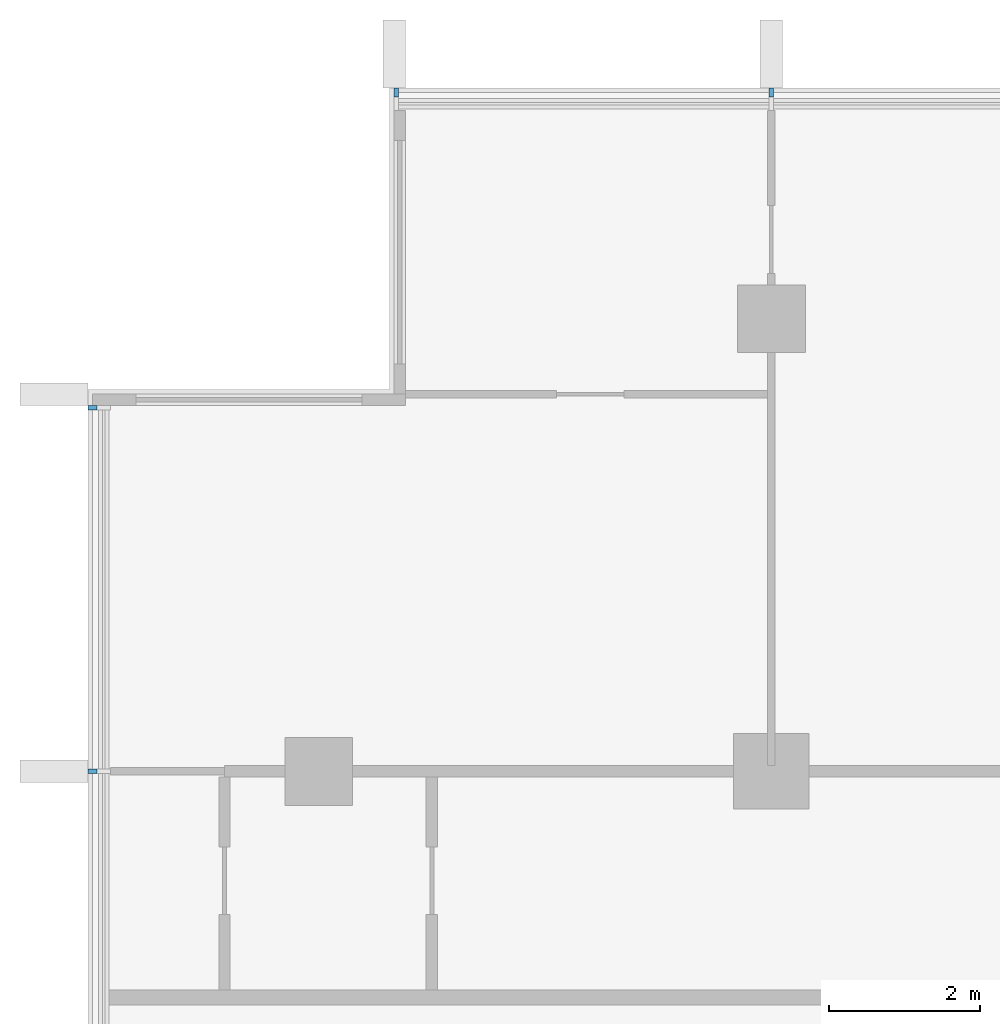
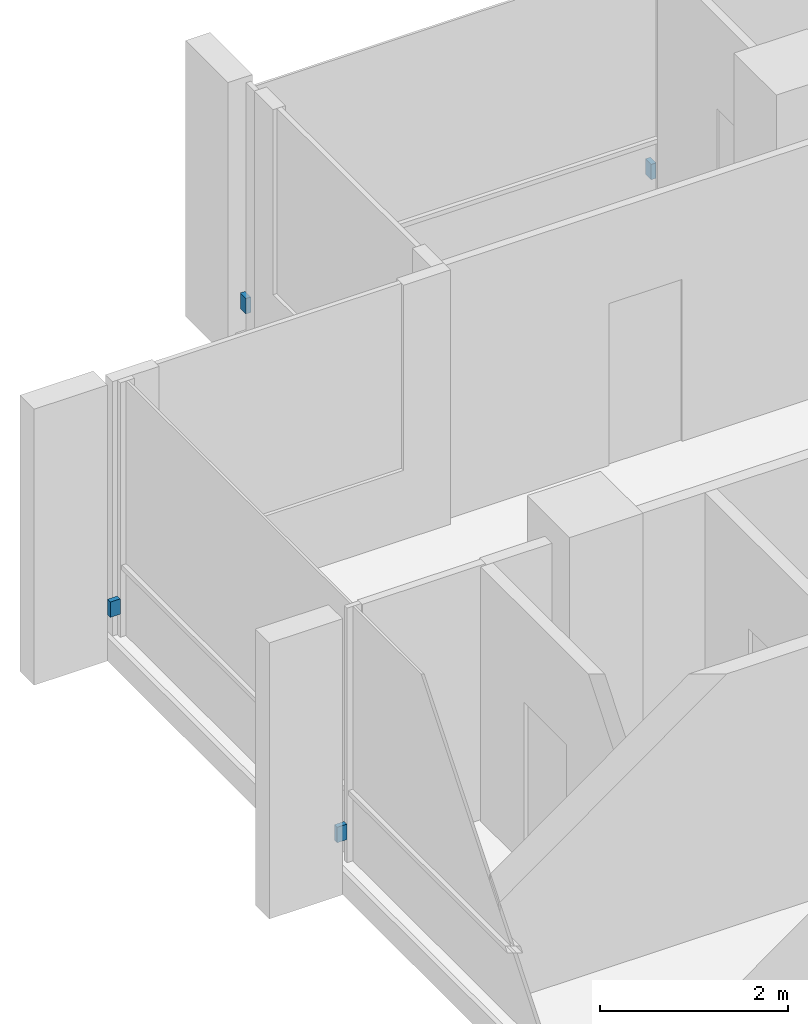
# One storey, part 14 of 16: 4 discrete accessories.
"""IFC4 building model written with IfcOpenShell, lengths in metres."""

from ifc_helpers import new_model, si_unit, direction, frame, origin, origin_2d, place, context, subcontext, project, spatial, rectangle, extrude, material, type_object, element, save


model = new_model("IFC4")

# Units and contexts
model_context = context("Model", 3, precision=1e-05, world=origin(), true_north=direction((0.0, 1.0)))
body_context = subcontext(model_context, "Body", "Model", "MODEL_VIEW")
ifc_project = project(units=[si_unit("LENGTHUNIT", "METRE"), si_unit("AREAUNIT", "SQUARE_METRE"), si_unit("VOLUMEUNIT", "CUBIC_METRE"), si_unit("PLANEANGLEUNIT", "RADIAN"), si_unit("MASSUNIT", "GRAM", prefix="KILO")], contexts=[model_context])

# Site, building, storey
site_placement = place(None, origin())
site = spatial("IfcSite", under=ifc_project, at=site_placement, CompositionType="ELEMENT")
building_placement = place(site_placement, origin())
building = spatial("IfcBuilding", under=site, at=building_placement, Name="Finial Court Residences", CompositionType="ELEMENT")
storey_placement = place(building_placement, frame((0.0, 0.0, 178.10009765625)))
storey = spatial("IfcBuildingStorey", under=building, at=storey_placement, Name="L44", CompositionType="ELEMENT", Elevation=178.10009765625)

# Discrete accessories
ifc_material = material(Name="Stainless steel 316", Category="steel")
discrete_accessory_type = type_object("IfcDiscreteAccessoryType", Name="Fin bracket, stainless steel 60 x 122 x 200", PredefinedType="BRACKET", material=ifc_material)
for number, where, z_axis, x_axis, name in (
    (1, (-15.469970703125, 22.498779296875, 0.2998046875), (0.0, 0.0, 1.0), (1.0, 0.0, 0.0), "E-L44-FIN-N1-BRK"),
    (2, (-10.5, 22.498779296875, 0.2998046875), (0.0, 0.0, 1.0), (1.0, 0.0, 0.0), "E-L44-FIN-N2-BRK"),
):
    element("IfcDiscreteAccessory", number, at=place(storey_placement, frame(where, z_axis=z_axis, x_axis=x_axis)), inside=storey, type_object=discrete_accessory_type, Name=name, PredefinedType="BRACKET", context=body_context, shape_type="SweptSolid", body=[
        extrude(rectangle(XDim=0.06005859375, YDim=0.12255859375, at=origin_2d()), origin(), (0.0, 0.0, 1.0), 0.199951171875),
    ])
for number, where, z_axis, x_axis, name in (
    (3, (-19.498779296875, 13.5, 0.2998046875), (0.0, 0.0, 1.0), (1.0, 0.0, 0.0), "E-L44-FIN-W27-BRK"),
    (4, (-19.498779296875, 18.320068359375, 0.2998046875), (0.0, 0.0, 1.0), (1.0, 0.0, 0.0), "E-L44-FIN-W28-BRK"),
):
    element("IfcDiscreteAccessory", number, at=place(storey_placement, frame(where, z_axis=z_axis, x_axis=x_axis)), inside=storey, type_object=discrete_accessory_type, Name=name, PredefinedType="BRACKET", context=body_context, shape_type="SweptSolid", body=[
        extrude(rectangle(XDim=0.12255859375, YDim=0.06005859375, at=origin_2d()), origin(), (0.0, 0.0, 1.0), 0.199951171875),
    ])

save(model, "model.ifc")
